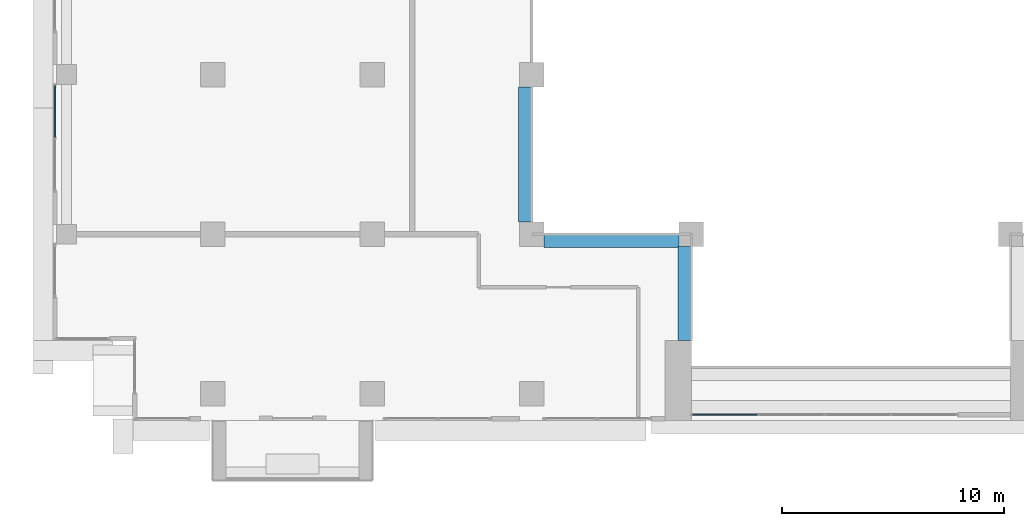
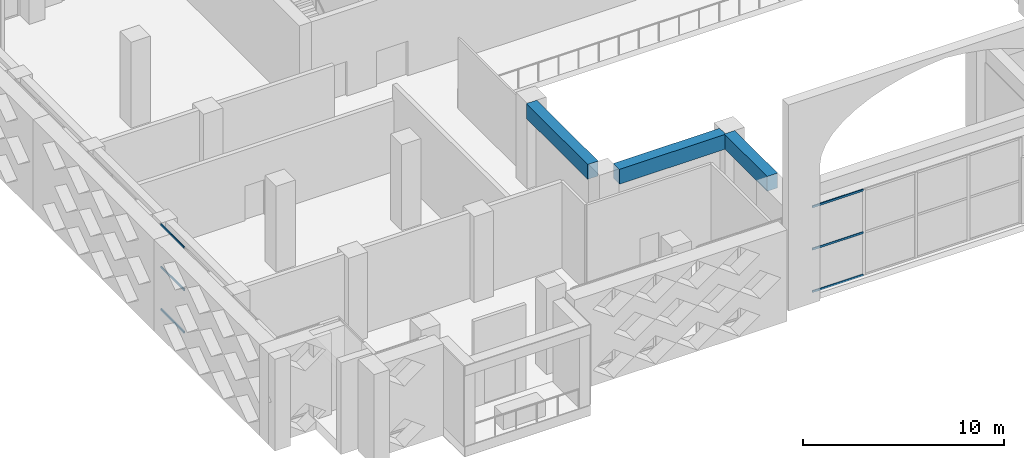
# One storey, part 3 of 25: 6 members, 3 beams, 2 elements without a shape of their own.
"""IFC4 building model written with IfcOpenShell, lengths in metres."""

from ifc_helpers import new_model, si_unit, direction, frame, origin, origin_2d, place, context, subcontext, project, spatial, rectangle, extrude, source, transform, mapped, material, layer, layer_set, material_profile, profile_set, type_object, element, aggregate, save


model = new_model("IFC4")

# Units and contexts
model_context = context("Model", 3, precision=1e-05, world=origin(), true_north=direction((0.0, 1.0)))
body_context = subcontext(model_context, "Body", "Model", "MODEL_VIEW")
ifc_project = project(units=[si_unit("LENGTHUNIT", "METRE"), si_unit("AREAUNIT", "SQUARE_METRE"), si_unit("VOLUMEUNIT", "CUBIC_METRE"), si_unit("PLANEANGLEUNIT", "RADIAN"), si_unit("MASSUNIT", "GRAM", prefix="KILO")], contexts=[model_context])

# Site, building, storey
site_placement = place(None, origin())
site = spatial("IfcSite", under=ifc_project, at=site_placement, CompositionType="ELEMENT")
building_placement = place(site_placement, origin())
building = spatial("IfcBuilding", under=site, at=building_placement, Name="Saffron Iwan Residences", CompositionType="ELEMENT")
storey_placement = place(building_placement, frame((0.0, 0.0, 137.5)))
storey = spatial("IfcBuildingStorey", under=building, at=storey_placement, Name="L36", CompositionType="ELEMENT", Elevation=137.5)

# Beams
ifc_material_1 = material(Name="Concrete C50/60", Category="concrete")
ifc_material_profile_1 = material_profile(ifc_material_1, rectangle(XDim=0.60009765625, YDim=0.89990234375, at=origin_2d()), Name="RC 600x900")
ifc_profile_set_1 = profile_set([ifc_material_profile_1], Name="Concrete C50/60")
beam_type = type_object("IfcBeamType", Name="BEAM RC 600x900 C50/60 TOP 5200", PredefinedType="BEAM", material=ifc_profile_set_1)
shared_shape_1 = source(origin(), body_context, "Body", "SweptSolid", [
    extrude(rectangle(XDim=0.60009765625, YDim=0.89990234375, at=origin_2d()), origin(), (0.0, 0.0, 1.0), 4.25),
])
beam_placement = place(storey_placement, frame((42.89990234375, 43.199951171875, 4.75), z_axis=(0.0, 1.0, 0.0), x_axis=(-1.0, 0.0, 0.0)))
element("IfcBeam", 1, at=beam_placement, inside=storey, type_object=beam_type, Name="Atrium edge beam", PredefinedType="BEAM", context=body_context, shape_type="MappedRepresentation", body=[
    mapped(shared_shape_1, transform((0.0, 0.0, 0.0))),
])
shared_shape_2 = source(origin(), body_context, "Body", "SweptSolid", [
    extrude(rectangle(XDim=0.60009765625, YDim=0.89990234375, at=origin_2d()), origin(), (0.0, 0.0, 1.0), 6.099853515625),
])
for number, where, z_axis, x_axis, name in (
    (2, (42.64990234375, 47.699951171875, 4.75), (-1.0, 0.0, 0.0), (0.0, -1.0, 0.0), "Atrium edge beam"),
    (3, (35.699951171875, 48.550048828125, 4.75), (0.0, 1.0, 0.0), (-1.0, 0.0, 0.0), "Atrium edge beam"),
):
    element("IfcBeam", number, at=place(storey_placement, frame(where, z_axis=z_axis, x_axis=x_axis)), inside=storey, type_object=beam_type, Name=name, PredefinedType="BEAM", context=body_context, shape_type="MappedRepresentation", body=[
        mapped(shared_shape_2, transform((0.0, 0.0, 0.0))),
    ])

# Curtain wall, members
ifc_material_2 = material(Name="Clear glass, laminated double glazed", Category="glass")
ifc_layer_1 = layer(ifc_material_2, 0.199951171875)
ifc_layer_set_1 = layer_set([ifc_layer_1], Name="Clear glass, laminated double glazed")
curtain_wall_type_1 = type_object("IfcCurtainWallType", Name="CW-B IWAN PORTAL", PredefinedType="NOTDEFINED", material=ifc_layer_set_1)
curtain_wall_1_placement = place(storey_placement, origin())
curtain_wall_1 = element("IfcCurtainWall", 4, at=curtain_wall_1_placement, inside=storey, type_object=curtain_wall_type_1, Name="Iwan portal glazing L36.1", PredefinedType="NOTDEFINED")
ifc_material_3 = material(Name="Aluminium 6063-T6", Category="aluminium")
ifc_material_profile_2 = material_profile(ifc_material_3, rectangle(XDim=0.06005859375, YDim=0.1201171875, at=origin_2d()), Name="CW-B TRANSOM 60 x 120")
ifc_profile_set_2 = profile_set([ifc_material_profile_2], Name="Aluminium 6063-T6")
member_type_1 = type_object("IfcMemberType", Name="CW-B TRANSOM 60 x 120", PredefinedType="USERDEFINED", material=ifc_profile_set_2)
shared_shape_3 = source(origin(), body_context, "Body", "SweptSolid", [
    extrude(rectangle(XDim=0.06005859375, YDim=0.1201171875, at=origin_2d()), origin(), (0.0, 0.0, 1.0), 2.909912109375),
])
member_1_placement = place(storey_placement, frame((43.260009765625, 39.85009765625, 0.030029296875), z_axis=(1.0, 0.0, 0.0), x_axis=(0.0, 1.0, 0.0)))
member_1 = element("IfcMember", 5, at=member_1_placement, type_object=member_type_1, Name="CW-B transom 1.1", ObjectType="TRANSOM", PredefinedType="USERDEFINED", context=body_context, shape_type="MappedRepresentation", body=[
    mapped(shared_shape_3, transform((0.0, 0.0, 0.0))),
])
member_2_placement = place(storey_placement, frame((43.260009765625, 39.85009765625, 2.60009765625), z_axis=(1.0, 0.0, 0.0), x_axis=(0.0, 1.0, 0.0)))
member_2 = element("IfcMember", 6, at=member_2_placement, type_object=member_type_1, Name="CW-B transom 1.2", ObjectType="TRANSOM", PredefinedType="USERDEFINED", context=body_context, shape_type="MappedRepresentation", body=[
    mapped(shared_shape_3, transform((0.0, 0.0, 0.0))),
])
member_3_placement = place(storey_placement, frame((43.260009765625, 39.85009765625, 5.169921875), z_axis=(1.0, 0.0, 0.0), x_axis=(0.0, 1.0, 0.0)))
member_3 = element("IfcMember", 7, at=member_3_placement, type_object=member_type_1, Name="CW-B transom 1.3", ObjectType="TRANSOM", PredefinedType="USERDEFINED", context=body_context, shape_type="MappedRepresentation", body=[
    mapped(shared_shape_3, transform((0.0, 0.0, 0.0))),
])
aggregate(curtain_wall_1, [member_1, member_2, member_3])

ifc_layer_2 = layer(ifc_material_2, 0.14990234375)
ifc_layer_set_2 = layer_set([ifc_layer_2], Name="Clear glass, laminated double glazed")
curtain_wall_type_2 = type_object("IfcCurtainWallType", Name="CW-C SKY LOBBY GLAZING", PredefinedType="NOTDEFINED", material=ifc_layer_set_2)
curtain_wall_2_placement = place(storey_placement, origin())
curtain_wall_2 = element("IfcCurtainWall", 8, at=curtain_wall_2_placement, inside=storey, type_object=curtain_wall_type_2, Name="Glazing L36 F8.3", PredefinedType="NOTDEFINED")
ifc_material_profile_3 = material_profile(ifc_material_3, rectangle(XDim=0.06005859375, YDim=0.1201171875, at=origin_2d()), Name="CW-C TRANSOM 60 x 120")
ifc_profile_set_3 = profile_set([ifc_material_profile_3], Name="Aluminium 6063-T6")
member_type_2 = type_object("IfcMemberType", Name="CW-C TRANSOM 60 x 120", PredefinedType="USERDEFINED", material=ifc_profile_set_3)
shared_shape_4 = source(origin(), body_context, "Body", "SweptSolid", [
    extrude(rectangle(XDim=0.06005859375, YDim=0.1201171875, at=origin_2d()), origin(), (0.0, 0.0, 1.0), 2.31005859375),
])
member_4_placement = place(storey_placement, frame((14.47998046875, 54.68994140625, 0.030029296875), z_axis=(0.0, -1.0, 0.0), x_axis=(1.0, 0.0, 0.0)))
member_4 = element("IfcMember", 9, at=member_4_placement, type_object=member_type_2, Name="CW-C transom 1.1", ObjectType="TRANSOM", PredefinedType="USERDEFINED", context=body_context, shape_type="MappedRepresentation", body=[
    mapped(shared_shape_4, transform((0.0, 0.0, 0.0))),
])
member_5_placement = place(storey_placement, frame((14.47998046875, 54.68994140625, 2.60009765625), z_axis=(0.0, -1.0, 0.0), x_axis=(1.0, 0.0, 0.0)))
member_5 = element("IfcMember", 10, at=member_5_placement, type_object=member_type_2, Name="CW-C transom 1.2", ObjectType="TRANSOM", PredefinedType="USERDEFINED", context=body_context, shape_type="MappedRepresentation", body=[
    mapped(shared_shape_4, transform((0.0, 0.0, 0.0))),
])
member_6_placement = place(storey_placement, frame((14.47998046875, 54.68994140625, 5.169921875), z_axis=(0.0, -1.0, 0.0), x_axis=(1.0, 0.0, 0.0)))
member_6 = element("IfcMember", 11, at=member_6_placement, type_object=member_type_2, Name="CW-C transom 1.3", ObjectType="TRANSOM", PredefinedType="USERDEFINED", context=body_context, shape_type="MappedRepresentation", body=[
    mapped(shared_shape_4, transform((0.0, 0.0, 0.0))),
])
aggregate(curtain_wall_2, [member_4, member_5, member_6])

save(model, "model.ifc")
